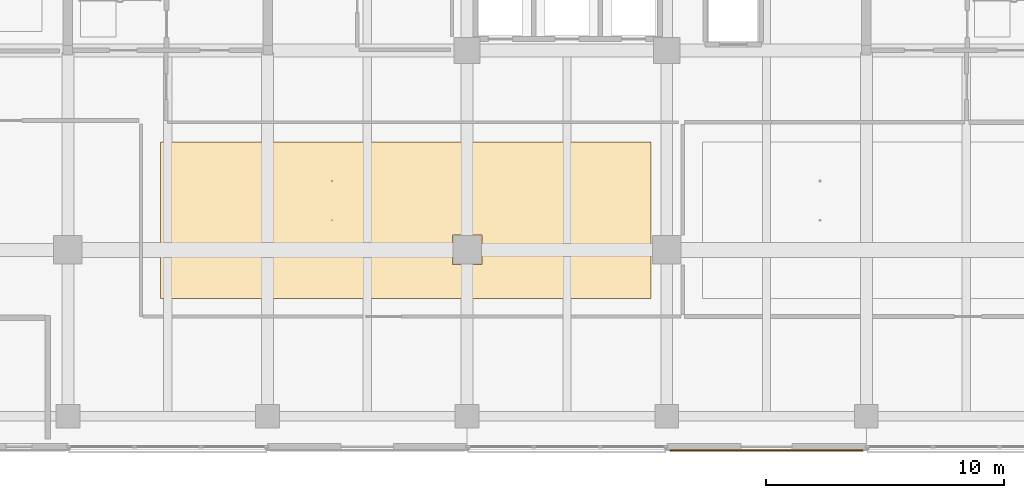
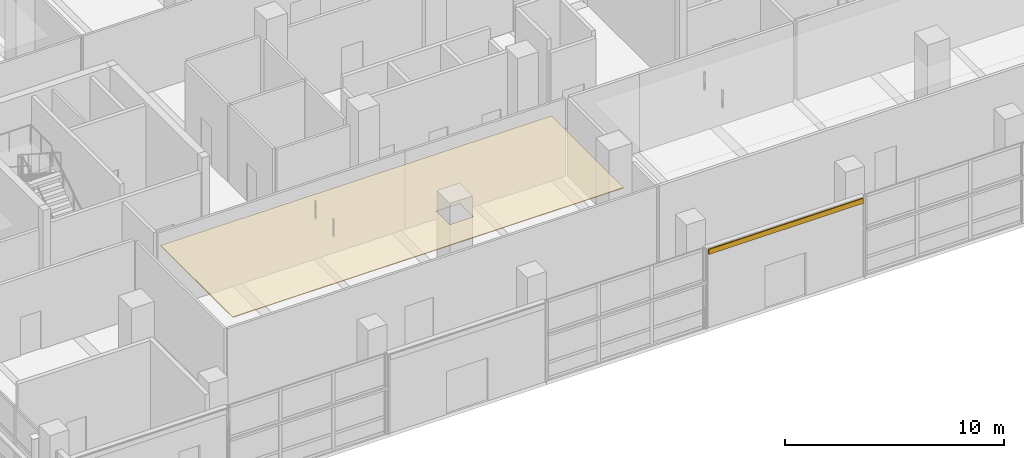
# One storey, part 113 of 140: 2 coverings.
"""IFC4 building model written with IfcOpenShell, lengths in metres."""

from ifc_helpers import new_model, si_unit, direction, frame, origin, origin_2d, place, context, subcontext, project, spatial, polyline, rectangle, outline, extrude, material, layer, layer_set, type_object, element, save


model = new_model("IFC4")

# Units and contexts
model_context = context("Model", 3, precision=1e-05, world=origin(), true_north=direction((0.0, 1.0)))
body_context = subcontext(model_context, "Body", "Model", "MODEL_VIEW")
ifc_project = project(units=[si_unit("LENGTHUNIT", "METRE"), si_unit("AREAUNIT", "SQUARE_METRE"), si_unit("VOLUMEUNIT", "CUBIC_METRE"), si_unit("PLANEANGLEUNIT", "RADIAN"), si_unit("MASSUNIT", "GRAM", prefix="KILO")], contexts=[model_context])

# Site, building, storey
site_placement = place(None, origin())
site = spatial("IfcSite", under=ifc_project, at=site_placement, CompositionType="ELEMENT")
building_placement = place(site_placement, origin())
building = spatial("IfcBuilding", under=site, at=building_placement, Name="Telukmera Botanical Conservatory", CompositionType="ELEMENT")
storey_placement = place(building_placement, origin())
storey = spatial("IfcBuildingStorey", under=building, at=storey_placement, Name="L00", CompositionType="ELEMENT", Elevation=0.0)

# Coverings
ifc_material_1 = material(Name="Perforated gypsum acoustic ceiling")
ifc_layer_1 = layer(ifc_material_1, 0.0400390625)
ifc_layer_set_1 = layer_set([ifc_layer_1], Name="Perforated gypsum acoustic ceiling")
covering_type_1 = type_object("IfcCoveringType", Name="COV-CEIL-40", PredefinedType="CEILING", material=ifc_layer_set_1)
covering_1_placement = place(storey_placement, frame((0.0, 0.0, 4.2099609375)))
element("IfcCovering", 1, at=covering_1_placement, inside=storey, type_object=covering_type_1, Name="L00 Visitor Centre Botanical Hall Suspended Acoustic Ceiling", PredefinedType="CEILING", context=body_context, shape_type="SweptSolid", body=[
    extrude(outline(polyline([(62.699951171875, 15.550048828125), (83.330078125, 15.550048828125), (83.330078125, 22.14990234375), (62.699951171875, 22.14990234375), (62.699951171875, 15.550048828125)]), holes=[polyline([(74.97998046875, 16.97998046875), (76.219970703125, 16.97998046875), (76.219970703125, 18.219970703125), (74.97998046875, 18.219970703125), (74.97998046875, 16.97998046875)])]), origin(), (0.0, 0.0, 1.0), 0.0400390625),
])
ifc_material_2 = material(Name="Terracotta-faced precast concrete C40/50", Category="masonry")
ifc_layer_2 = layer(ifc_material_2, 0.06005859375)
ifc_layer_set_2 = layer_set([ifc_layer_2], Name="Terracotta-faced precast concrete C40/50")
covering_type_2 = type_object("IfcCoveringType", Name="Polychrome Terracotta Facade Band Cladding", PredefinedType="CLADDING", material=ifc_layer_set_2)
covering_2_placement = place(storey_placement, frame((88.199951171875, 9.159912109375, 4.1298828125), z_axis=(0.0, 0.0, 1.0), x_axis=(1.0, 0.0, 0.0)))
element("IfcCovering", 2, at=covering_2_placement, inside=storey, type_object=covering_type_2, Name="Polychrome Terracotta Band V4:L00:S5", PredefinedType="CLADDING", context=body_context, shape_type="SweptSolid", body=[
    extrude(rectangle(XDim=8.156005859375, YDim=0.06005859375, at=origin_2d()), origin(), (0.0, 0.0, 1.0), 0.280029296875),
])

save(model, "model.ifc")
